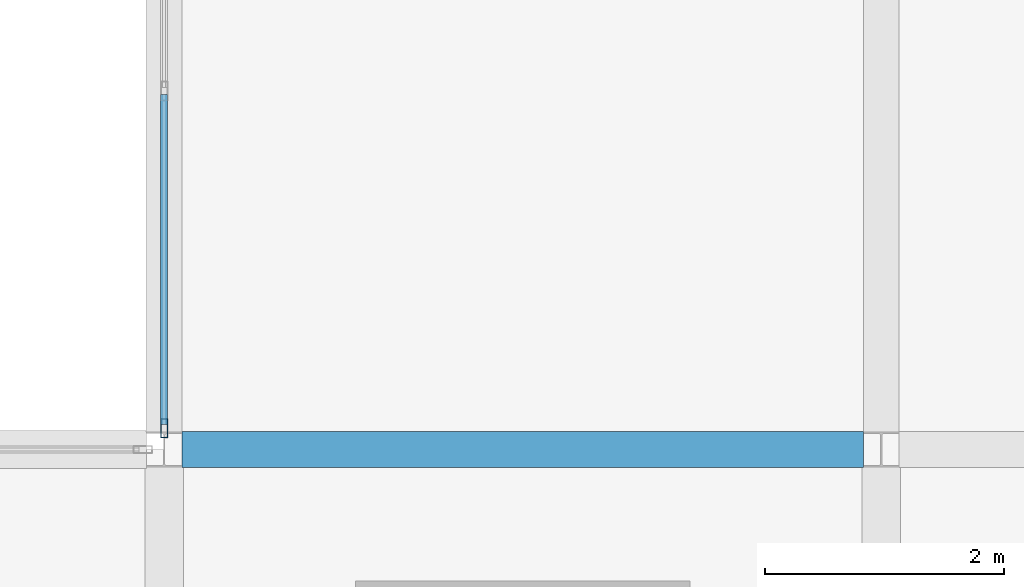
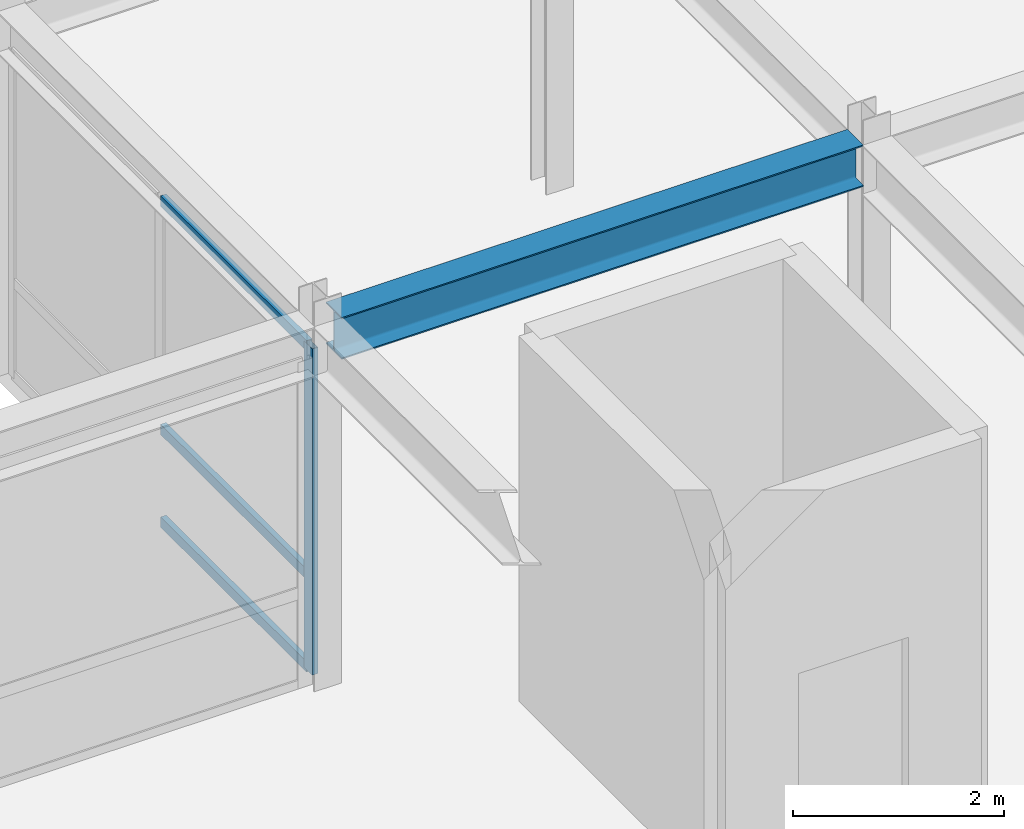
# One storey, part 37 of 108: 4 members, 1 beam, 1 element without a shape of its own.
"""IFC4 building model written with IfcOpenShell, lengths in metres."""

import ifcopenshell
import ifcopenshell.guid

model = None  # the IFC model being written
_history = None  # IfcOwnerHistory: only IFC2X3 demands one
_inside = {}  # id of a spatial element -> (the spatial element, [elements in it])
_under = {}  # id of a project, library or spatial element -> (it, [spatial elements below it])
_declared = {}  # id of a project -> (the project, [libraries it declares])
_typed = {}  # id of a type object -> (the type object, [elements of that type])
_made_of = {}  # id of a material, layer set ... -> (it, [elements and type objects made of it])


def new_model(schema):
    """Start an empty IFC model of exactly this schema.

    Asked for "IFC4X3", IfcOpenShell would pick the latest addendum, in which some entities
    have other attributes; the version numbers below select the first issue.
    IFC2X3 requires an IfcOwnerHistory on every rooted entity: one is made here for all.
    """
    global model, _history
    if schema == "IFC4X3":
        model = ifcopenshell.file(schema_version=(4, 3, 0, 0))
    else:
        model = ifcopenshell.file(schema=schema)
    _inside.clear()
    _under.clear()
    _declared.clear()
    _typed.clear()
    _made_of.clear()
    _history = None
    if model.schema == "IFC2X3":
        org = make("IfcOrganization", Name="unknown")
        user = make(
            "IfcPersonAndOrganization",
            ThePerson=make("IfcPerson", FamilyName="unknown"),
            TheOrganization=org,
        )
        app = make(
            "IfcApplication",
            ApplicationDeveloper=org,
            Version="unknown",
            ApplicationFullName="unknown",
            ApplicationIdentifier="unknown",
        )
        _history = make(
            "IfcOwnerHistory",
            OwningUser=user,
            OwningApplication=app,
            ChangeAction="ADDED",
            CreationDate=0,
        )
    return model


def make(cls, **values):
    """One entity of the class cls with the attributes given. An attribute that is None is left unset."""
    return model.create_entity(
        cls, **{name: value for name, value in values.items() if value is not None}
    )


def rooted(cls, **values):
    """An entity with a GlobalId (a new one), such as an element, a storey or a relation."""
    return make(cls, GlobalId=ifcopenshell.guid.new(), OwnerHistory=_history, **values)


def si_unit(unit_type, name, prefix=None):
    """IfcSIUnit, for example si_unit("LENGTHUNIT", "METRE", prefix="MILLI")."""
    return make("IfcSIUnit", UnitType=unit_type, Prefix=prefix, Name=name)


def assignment(units):
    """IfcUnitAssignment: the units of a project."""
    return None if units is None else make("IfcUnitAssignment", Units=units)


def point(xyz):
    """IfcCartesianPoint."""
    return None if xyz is None else make("IfcCartesianPoint", Coordinates=xyz)


def direction(xyz):
    """IfcDirection."""
    return None if xyz is None else make("IfcDirection", DirectionRatios=xyz)


def frame(location, z_axis=None, x_axis=None):
    """IfcAxis2Placement3D, a coordinate frame: its origin and axes. An axis left out is left unset."""
    return make(
        "IfcAxis2Placement3D",
        Location=point(location),
        Axis=direction(z_axis),
        RefDirection=direction(x_axis),
    )


def frame_2d(location, x_axis=None):
    """IfcAxis2Placement2D, a coordinate frame in the plane: its origin and x axis."""
    return make(
        "IfcAxis2Placement2D", Location=point(location), RefDirection=direction(x_axis)
    )


def origin():
    """The frame at (0, 0, 0) with its axes left unset."""
    return frame((0.0, 0.0, 0.0))


def origin_2d():
    """The frame at (0, 0) in the plane with its x axis left unset."""
    return frame_2d((0.0, 0.0))


def place(relative_to, where):
    """IfcLocalPlacement: puts the frame where relative to a parent placement (None: the world)."""
    return make(
        "IfcLocalPlacement", PlacementRelTo=relative_to, RelativePlacement=where
    )


def context(
    kind, dimensions, precision=None, world=None, true_north=None, identifier=None
):
    """IfcGeometricRepresentationContext, for example the 3D "Model" context."""
    return make(
        "IfcGeometricRepresentationContext",
        ContextIdentifier=identifier,
        ContextType=kind,
        CoordinateSpaceDimension=dimensions,
        Precision=precision,
        WorldCoordinateSystem=world,
        TrueNorth=true_north,
    )


def subcontext(parent, identifier, kind, view, scale=None):
    """IfcGeometricRepresentationSubContext, for example "Body" below "Model"."""
    return make(
        "IfcGeometricRepresentationSubContext",
        ContextIdentifier=identifier,
        ContextType=kind,
        ParentContext=parent,
        TargetScale=scale,
        TargetView=view,
    )


def project(units=None, contexts=None):
    """IfcProject with its units and contexts."""
    return rooted(
        "IfcProject",
        Name="project",
        RepresentationContexts=contexts,
        UnitsInContext=assignment(units),
    )


def spatial(cls, under=None, at=None, **own):
    """A site, building, storey or space (cls), placed at a placement, below another one or the project."""
    s = rooted(cls, ObjectPlacement=at, **own)
    if under is not None:
        _under.setdefault(under.id(), (under, []))[1].append(s)
    return s


def profile(cls, at=None, kind="AREA", **sizes):
    """A parametric profile (cls). Its sizes go by their IFC names, for example OverallWidth=200.0."""
    return make(cls, ProfileType=kind, Position=at, **sizes)


def hollow_rectangle(**sizes):
    """IfcRectangleHollowProfileDef."""
    return profile("IfcRectangleHollowProfileDef", **sizes)


def i_section(**sizes):
    """IfcIShapeProfileDef."""
    return profile("IfcIShapeProfileDef", **sizes)


def extrude(swept, where, along, depth):
    """IfcExtrudedAreaSolid: the profile swept, set in the frame where, extruded along a direction by depth."""
    return make(
        "IfcExtrudedAreaSolid",
        SweptArea=swept,
        Position=where,
        ExtrudedDirection=direction(along),
        Depth=depth,
    )


def shape(context_of_items, identifier, shape_type, items):
    """IfcShapeRepresentation: the items that make up one representation, for example the "Body"."""
    return make(
        "IfcShapeRepresentation",
        ContextOfItems=context_of_items,
        RepresentationIdentifier=identifier,
        RepresentationType=shape_type,
        Items=items,
    )


def material(Name=None, Category=None):
    """IfcMaterial."""
    return make("IfcMaterial", Name=Name, Category=Category)


def layer(
    of_material, thickness, ventilated=None, Name=None, Category=None, Priority=None
):
    """IfcMaterialLayer: one layer of a wall or slab, of a material (None: an air gap)."""
    return make(
        "IfcMaterialLayer",
        Material=of_material,
        LayerThickness=thickness,
        IsVentilated=ventilated,
        Name=Name,
        Category=Category,
        Priority=Priority,
    )


def layer_set(layers, Name=None):
    """IfcMaterialLayerSet."""
    return make("IfcMaterialLayerSet", MaterialLayers=layers, LayerSetName=Name)


def material_profile(
    of_material, cross_section, Name=None, Category=None, Priority=None
):
    """IfcMaterialProfile: a cross section and its material."""
    return make(
        "IfcMaterialProfile",
        Name=Name,
        Material=of_material,
        Profile=cross_section,
        Priority=Priority,
        Category=Category,
    )


def profile_set(profiles, Name=None, composite=None):
    """IfcMaterialProfileSet."""
    return make(
        "IfcMaterialProfileSet",
        Name=Name,
        MaterialProfiles=profiles,
        CompositeProfile=composite,
    )


def made_of(thing, what):
    """Note that an element or type object is made of a material, layer set ...; save() writes the relation."""
    if what is not None:
        _made_of.setdefault(what.id(), (what, []))[1].append(thing)
    return thing


def type_object(cls, material=None, **own):
    """A type object (cls), such as IfcWallType, which elements share."""
    return made_of(rooted(cls, **own), material)


def element(
    cls,
    number,
    at=None,
    inside=None,
    cuts=None,
    type_object=None,
    material=None,
    context=None,
    identifier="Body",
    shape_type=None,
    held_by="IfcProductDefinitionShape",
    body=None,
    shapes=None,
    **own,
):
    """One element of the class cls, such as IfcWall. Its Tag is "e" and its number.

    at: its placement. inside: the storey or other place that contains it. cuts: it is an
    opening in that element (IfcRelVoidsElement). A single representation is given by context,
    identifier, shape_type and body (its items); several are given by shapes. held_by: the class
    of the entity that holds the representations. save() writes the other relations.
    """
    e = rooted(cls, Tag="e%d" % number, ObjectPlacement=at, **own)
    if body is not None:
        shapes = [shape(context, identifier, shape_type, body)]
    if shapes is not None:
        e.Representation = make(held_by, Representations=shapes)
    if inside is not None:
        _inside.setdefault(inside.id(), (inside, []))[1].append(e)
    if cuts is not None:
        rooted(
            "IfcRelVoidsElement", RelatingBuildingElement=cuts, RelatedOpeningElement=e
        )
    if type_object is not None:
        _typed.setdefault(type_object.id(), (type_object, []))[1].append(e)
    return made_of(e, material)


def aggregate(whole, parts):
    """IfcRelAggregates: a whole, such as a stair, and the parts it consists of."""
    return rooted("IfcRelAggregates", RelatingObject=whole, RelatedObjects=parts)


def save(model, path):
    """Write the relations noted so far, then the file.

    IfcRelAggregates (storeys below a building ...), IfcRelContainedInSpatialStructure (elements
    in a storey), IfcRelDefinesByType, IfcRelAssociatesMaterial and IfcRelDeclares: one each for
    every whole, place, type object, material and project.
    """
    for whole, parts in _under.values():
        aggregate(whole, parts)
    for where, things in _inside.values():
        rooted(
            "IfcRelContainedInSpatialStructure",
            RelatedElements=things,
            RelatingStructure=where,
        )
    for kind, things in _typed.values():
        rooted("IfcRelDefinesByType", RelatedObjects=things, RelatingType=kind)
    for what, things in _made_of.values():
        rooted("IfcRelAssociatesMaterial", RelatedObjects=things, RelatingMaterial=what)
    for by, libraries in _declared.values():
        rooted("IfcRelDeclares", RelatingContext=by, RelatedDefinitions=libraries)
    model.write(path)


model = new_model("IFC4")

# Units and contexts
model_context = context("Model", 3, precision=1e-05, world=origin(), true_north=direction((0.0, 1.0)))
body_context = subcontext(model_context, "Body", "Model", "MODEL_VIEW")
ifc_project = project(units=[si_unit("LENGTHUNIT", "METRE"), si_unit("AREAUNIT", "SQUARE_METRE"), si_unit("VOLUMEUNIT", "CUBIC_METRE"), si_unit("PLANEANGLEUNIT", "RADIAN"), si_unit("MASSUNIT", "GRAM", prefix="KILO")], contexts=[model_context])

# Site, building, storey
site_placement = place(None, origin())
site = spatial("IfcSite", under=ifc_project, at=site_placement, CompositionType="ELEMENT")
building_placement = place(site_placement, origin())
building = spatial("IfcBuilding", under=site, at=building_placement, Name="Zlatovratsky Civic Hall", CompositionType="ELEMENT")
storey_placement = place(building_placement, frame((0.0, 0.0, 12.0)))
storey = spatial("IfcBuildingStorey", under=building, at=storey_placement, Name="L03", CompositionType="ELEMENT", Elevation=12.0)

# Beam
ifc_material_1 = material(Name="Steel S355", Category="steel")
ifc_material_profile_1 = material_profile(ifc_material_1, i_section(OverallWidth=0.300048828125, OverallDepth=0.48193359375, WebThickness=0.010986328125, FlangeThickness=0.014892578125, FilletRadius=0.02392578125, at=origin_2d()), Name="50Sh1")
ifc_profile_set_1 = profile_set([ifc_material_profile_1], Name="Steel S355")
beam_type = type_object("IfcBeamType", Name="Beam_LibraryGirder_50Sh1", PredefinedType="BEAM", material=ifc_profile_set_1)
beam_placement = place(storey_placement, frame((48.1494140625, 30.0, 3.97900390625), z_axis=(1.0, 0.0, 0.0), x_axis=(0.0, 1.0, 0.0)))
element("IfcBeam", 1, at=beam_placement, inside=storey, type_object=beam_type, Name="BM-2530", PredefinedType="BEAM", context=body_context, shape_type="SweptSolid", body=[
    extrude(i_section(OverallWidth=0.300048828125, OverallDepth=0.48193359375, WebThickness=0.010986328125, FlangeThickness=0.014892578125, FilletRadius=0.02392578125, at=origin_2d()), origin(), (0.0, 0.0, 1.0), 5.701171875),
])

# Curtain wall, members
ifc_material_2 = material(Name="Anodised bronze aluminium", Category="aluminium")
ifc_layer = layer(ifc_material_2, 0.159912109375)
ifc_layer_set = layer_set([ifc_layer], Name="Anodised bronze aluminium")
curtain_wall_type = type_object("IfcCurtainWallType", Name="CurtainWall_Bronze_5700x3770_12", PredefinedType="NOTDEFINED", material=ifc_layer_set)
curtain_wall_placement = place(storey_placement, origin())
curtain_wall = element("IfcCurtainWall", 2, at=curtain_wall_placement, inside=storey, type_object=curtain_wall_type, Name="CW-063", PredefinedType="NOTDEFINED")
ifc_material_profile_2 = material_profile(ifc_material_2, hollow_rectangle(XDim=0.06005859375, YDim=0.159912109375, WallThickness=0.00390625, at=origin_2d()), Name="ALU 60x160x4")
ifc_profile_set_2 = profile_set([ifc_material_profile_2], Name="Anodised bronze aluminium")
member_type_1 = type_object("IfcMemberType", Name="CW_Mullion_60x160", PredefinedType="MULLION", material=ifc_profile_set_2)
member_1_placement = place(storey_placement, frame((48.0, 30.177978515625, 0.0), z_axis=(0.0, 0.0, 1.0), x_axis=(-1.0, 0.0, 0.0)))
member_1 = element("IfcMember", 3, at=member_1_placement, type_object=member_type_1, Name="CW-12 mullion 1", PredefinedType="MULLION", context=body_context, shape_type="SweptSolid", body=[
    extrude(hollow_rectangle(XDim=0.06005859375, YDim=0.159912109375, WallThickness=0.00390625, at=origin_2d()), origin(), (0.0, 0.0, 1.0), 3.77001953125),
])
ifc_material_profile_3 = material_profile(ifc_material_2, hollow_rectangle(XDim=0.06005859375, YDim=0.1201171875, WallThickness=0.00390625, at=origin_2d()), Name="ALU 60x120x4")
ifc_profile_set_3 = profile_set([ifc_material_profile_3], Name="Anodised bronze aluminium")
member_type_2 = type_object("IfcMemberType", Name="CW_Transom_60x120", PredefinedType="USERDEFINED", material=ifc_profile_set_3)
member_2_placement = place(storey_placement, frame((48.0, 30.2080078125, 0.030029296875), z_axis=(0.0, 1.0, 0.0), x_axis=(-1.0, 0.0, 0.0)))
member_2 = element("IfcMember", 4, at=member_2_placement, type_object=member_type_2, Name="CW-12 transom 1.1", ObjectType="TRANSOM", PredefinedType="USERDEFINED", context=body_context, shape_type="SweptSolid", body=[
    extrude(hollow_rectangle(XDim=0.06005859375, YDim=0.1201171875, WallThickness=0.00390625, at=origin_2d()), origin(), (0.0, 0.0, 1.0), 2.761962890625),
])
member_3_placement = place(storey_placement, frame((48.0, 30.2080078125, 1.10009765625), z_axis=(0.0, 1.0, 0.0), x_axis=(-1.0, 0.0, 0.0)))
member_3 = element("IfcMember", 5, at=member_3_placement, type_object=member_type_2, Name="CW-12 transom 1.2", ObjectType="TRANSOM", PredefinedType="USERDEFINED", context=body_context, shape_type="SweptSolid", body=[
    extrude(hollow_rectangle(XDim=0.06005859375, YDim=0.1201171875, WallThickness=0.00390625, at=origin_2d()), origin(), (0.0, 0.0, 1.0), 2.761962890625),
])
member_4_placement = place(storey_placement, frame((48.0, 30.2080078125, 3.739990234375), z_axis=(0.0, 1.0, 0.0), x_axis=(-1.0, 0.0, 0.0)))
member_4 = element("IfcMember", 6, at=member_4_placement, type_object=member_type_2, Name="CW-12 transom 1.3", ObjectType="TRANSOM", PredefinedType="USERDEFINED", context=body_context, shape_type="SweptSolid", body=[
    extrude(hollow_rectangle(XDim=0.06005859375, YDim=0.1201171875, WallThickness=0.00390625, at=origin_2d()), origin(), (0.0, 0.0, 1.0), 2.761962890625),
])
aggregate(curtain_wall, [member_1, member_2, member_3, member_4])

save(model, "model.ifc")
